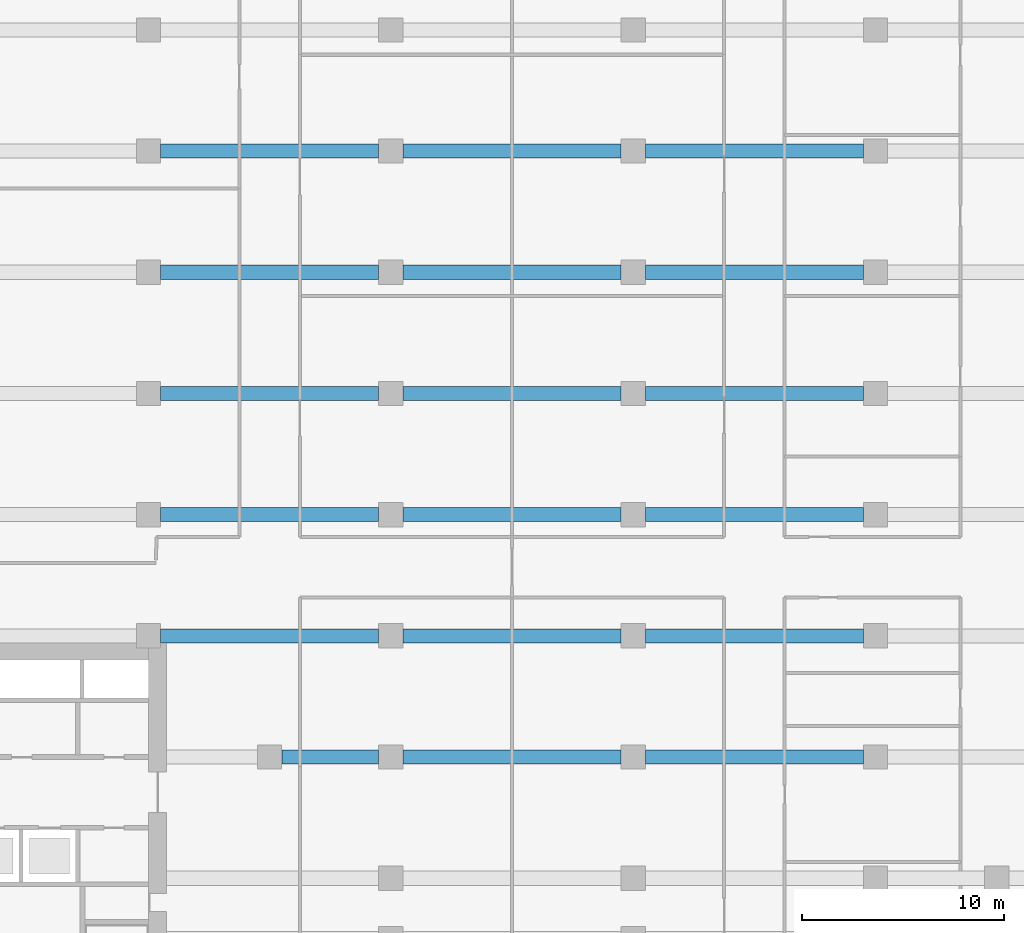
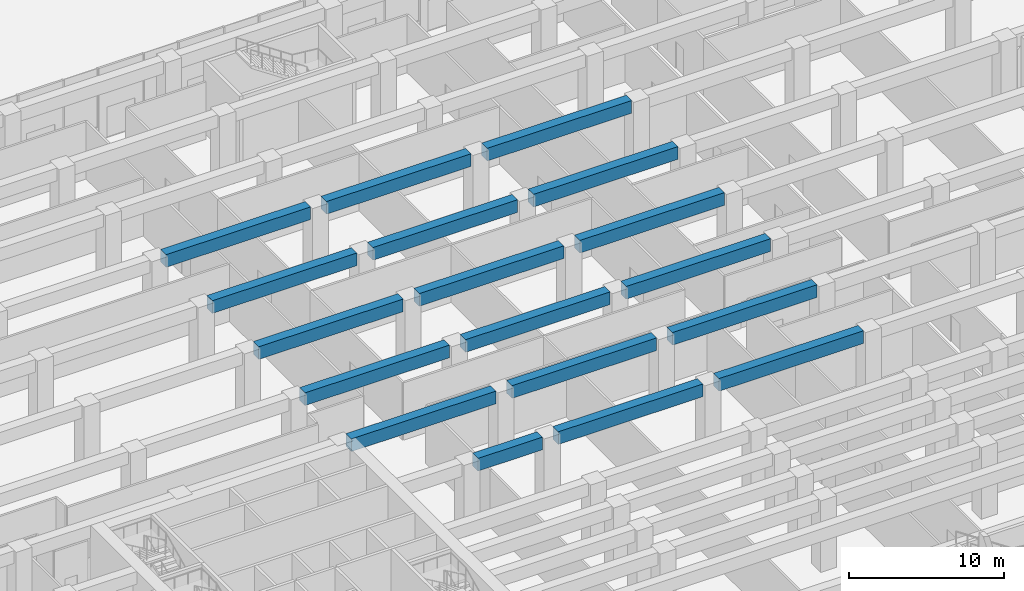
# One storey, part 8 of 32: 18 beams.
"""IFC4 building model written with IfcOpenShell, lengths in metres."""

from ifc_helpers import new_model, si_unit, direction, frame, origin, origin_2d, place, context, subcontext, project, spatial, rectangle, extrude, material, material_profile, profile_set, type_object, element, save


model = new_model("IFC4")

# Units and contexts
model_context = context("Model", 3, precision=1e-05, world=origin(), true_north=direction((0.0, 1.0)))
body_context = subcontext(model_context, "Body", "Model", "MODEL_VIEW")
ifc_project = project(units=[si_unit("LENGTHUNIT", "METRE"), si_unit("AREAUNIT", "SQUARE_METRE"), si_unit("VOLUMEUNIT", "CUBIC_METRE"), si_unit("PLANEANGLEUNIT", "RADIAN"), si_unit("MASSUNIT", "GRAM", prefix="KILO")], contexts=[model_context])

# Site, building, storey
site_placement = place(None, origin())
site = spatial("IfcSite", under=ifc_project, at=site_placement, CompositionType="ELEMENT")
building_placement = place(site_placement, origin())
building = spatial("IfcBuilding", under=site, at=building_placement, Name="Welwitschia Terrace Campus", CompositionType="ELEMENT")
storey_placement = place(building_placement, origin())
storey = spatial("IfcBuildingStorey", under=building, at=storey_placement, Name="L00", CompositionType="ELEMENT", Elevation=0.0)

# Beams
ifc_material = material(Name="Concrete C60/75", Category="concrete")
ifc_material_profile = material_profile(ifc_material, rectangle(XDim=0.699951171875, YDim=1.0, at=origin_2d()))
ifc_profile_set = profile_set([ifc_material_profile], Name="Concrete C60/75")
beam_type = type_object("IfcBeamType", Name="Base block beam 700x1000", PredefinedType="BEAM", material=ifc_profile_set)
beam_placement = place(storey_placement, frame((30.6005859375, 20.0, 5.14990234375), z_axis=(1.0, 0.0, 0.0), x_axis=(0.0, 1.0, 0.0)))
element("IfcBeam", 1, at=beam_placement, inside=storey, type_object=beam_type, Name="Beam BB1", PredefinedType="BEAM", context=body_context, shape_type="SweptSolid", body=[
    extrude(rectangle(XDim=0.699951171875, YDim=1.0, at=origin_2d()), origin(), (0.0, 0.0, 1.0), 4.798828125),
])
for number, where, z_axis, x_axis, name in (
    (2, (36.6005859375, 20.0, 5.14990234375), (1.0, 0.0, 0.0), (0.0, 1.0, 0.0), "Beam BB1"),
    (3, (48.6005859375, 20.0, 5.14990234375), (1.0, 0.0, 0.0), (0.0, 1.0, 0.0), "Beam BB1"),
    (4, (24.6005859375, 26.0, 5.14990234375), (1.0, 0.0, 0.0), (0.0, 1.0, 0.0), "Beam BB1"),
    (5, (36.6005859375, 26.0, 5.14990234375), (1.0, 0.0, 0.0), (0.0, 1.0, 0.0), "Beam BB1"),
    (6, (48.6005859375, 26.0, 5.14990234375), (1.0, 0.0, 0.0), (0.0, 1.0, 0.0), "Beam BB1"),
    (7, (24.6005859375, 32.0, 5.14990234375), (1.0, 0.0, 0.0), (0.0, 1.0, 0.0), "Beam BB1"),
    (8, (36.6005859375, 32.0, 5.14990234375), (1.0, 0.0, 0.0), (0.0, 1.0, 0.0), "Beam BB1"),
    (9, (48.6005859375, 32.0, 5.14990234375), (1.0, 0.0, 0.0), (0.0, 1.0, 0.0), "Beam BB1"),
    (10, (24.6005859375, 38.0, 5.14990234375), (1.0, 0.0, 0.0), (0.0, 1.0, 0.0), "Beam BB1"),
    (11, (36.6005859375, 38.0, 5.14990234375), (1.0, 0.0, 0.0), (0.0, 1.0, 0.0), "Beam BB1"),
    (12, (48.6005859375, 38.0, 5.14990234375), (1.0, 0.0, 0.0), (0.0, 1.0, 0.0), "Beam BB1"),
    (13, (24.6005859375, 44.0, 5.14990234375), (1.0, 0.0, 0.0), (0.0, 1.0, 0.0), "Beam BB1"),
    (14, (36.6005859375, 44.0, 5.14990234375), (1.0, 0.0, 0.0), (0.0, 1.0, 0.0), "Beam BB1"),
    (15, (48.6005859375, 44.0, 5.14990234375), (1.0, 0.0, 0.0), (0.0, 1.0, 0.0), "Beam BB1"),
    (16, (24.6005859375, 50.0, 5.14990234375), (1.0, 0.0, 0.0), (0.0, 1.0, 0.0), "Beam BB1"),
    (17, (36.6005859375, 50.0, 5.14990234375), (1.0, 0.0, 0.0), (0.0, 1.0, 0.0), "Beam BB1"),
    (18, (48.6005859375, 50.0, 5.14990234375), (1.0, 0.0, 0.0), (0.0, 1.0, 0.0), "Beam BB1"),
):
    element("IfcBeam", number, at=place(storey_placement, frame(where, z_axis=z_axis, x_axis=x_axis)), inside=storey, type_object=beam_type, Name=name, PredefinedType="BEAM", context=body_context, shape_type="SweptSolid", body=[
        extrude(rectangle(XDim=0.699951171875, YDim=1.0, at=origin_2d()), origin(), (0.0, 0.0, 1.0), 10.798828125),
    ])

save(model, "model.ifc")
